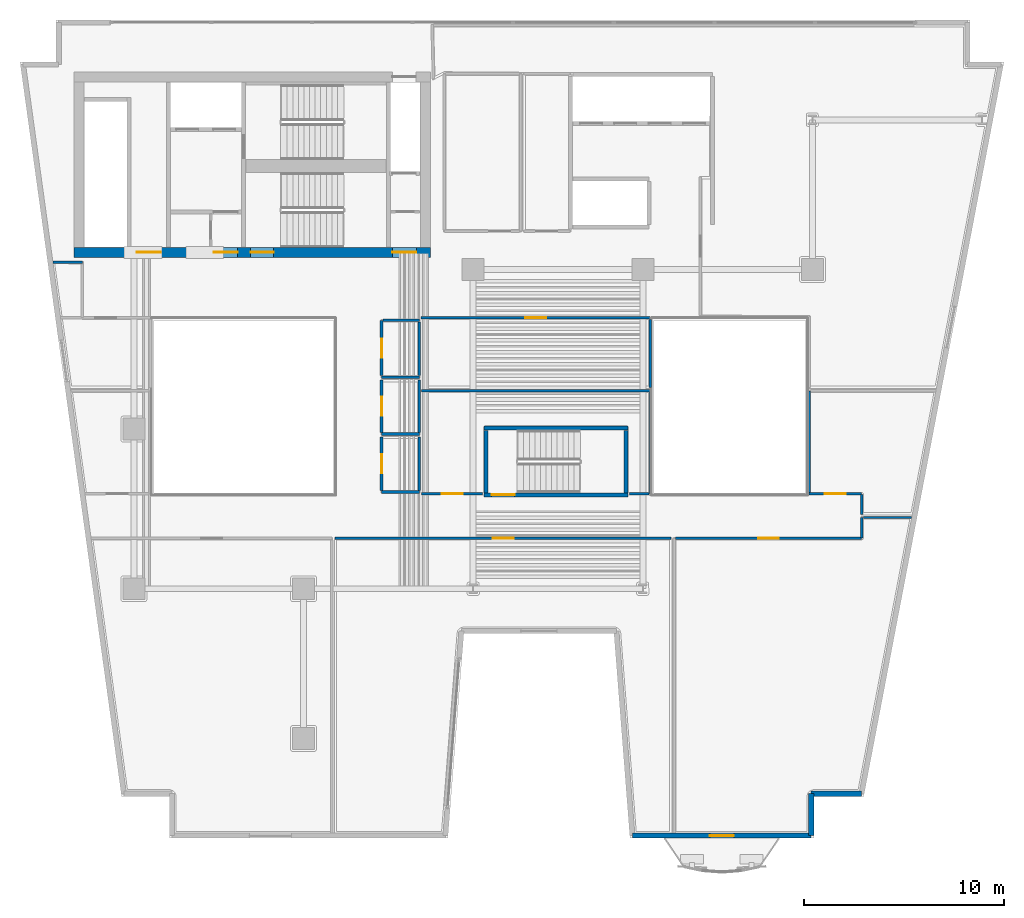
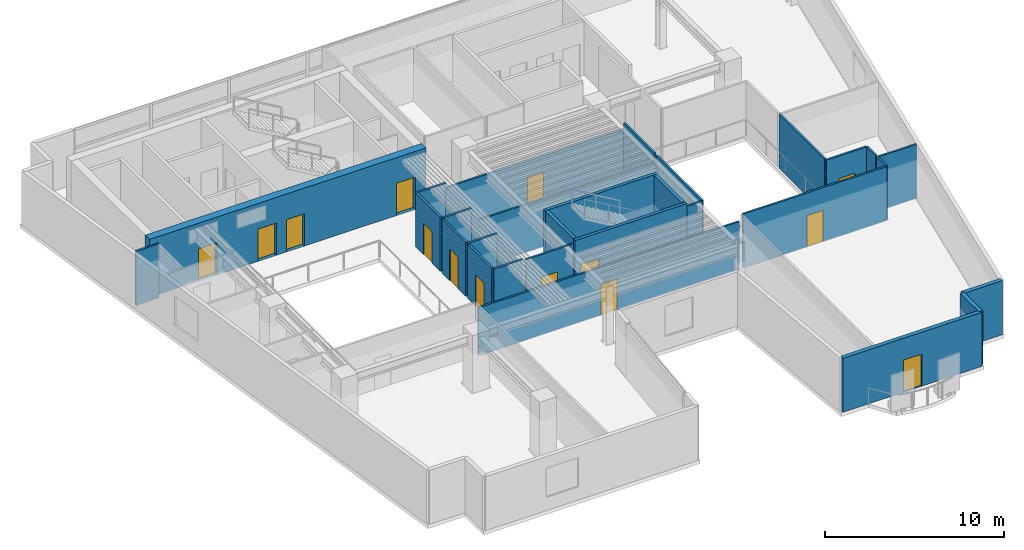
# One storey, part 6 of 13: 32 walls, 14 doors, 14 openings.
"""IFC4 building model written with IfcOpenShell, lengths in metres."""

from ifc_helpers import new_model, si_unit, direction, frame, frame_2d, origin, place, context, subcontext, project, spatial, rectangle, extrude, material, layer, layer_set, type_object, element, fill, save


model = new_model("IFC4")

# Units and contexts
model_context = context("Model", 3, precision=1e-05, world=origin(), true_north=direction((0.0, 1.0)))
body_context = subcontext(model_context, "Body", "Model", "MODEL_VIEW")
ifc_project = project(units=[si_unit("LENGTHUNIT", "METRE"), si_unit("AREAUNIT", "SQUARE_METRE"), si_unit("VOLUMEUNIT", "CUBIC_METRE"), si_unit("PLANEANGLEUNIT", "RADIAN"), si_unit("MASSUNIT", "GRAM", prefix="KILO")], contexts=[model_context])

# Site, building, storey
site_placement = place(None, origin())
site = spatial("IfcSite", under=ifc_project, at=site_placement, CompositionType="ELEMENT")
building_placement = place(site_placement, origin())
building = spatial("IfcBuilding", under=site, at=building_placement, Name="Caeloran Harvest Quay", CompositionType="ELEMENT")
storey_placement = place(building_placement, frame((0.0, 0.0, 135.10009765625)))
storey = spatial("IfcBuildingStorey", under=building, at=storey_placement, Name="L31", CompositionType="ELEMENT", Elevation=135.10009765625)

# Walls
ifc_material_1 = material(Name="Precast concrete C50/60", Category="concrete")
ifc_layer_1 = layer(ifc_material_1, 0.260009765625, Name="Precast concrete C50/60")
ifc_layer_set_1 = layer_set([ifc_layer_1], Name="Precast concrete C50/60")
wall_type_1 = type_object("IfcWallType", Name="ENV-WALL-EW-260", PredefinedType="STANDARD", material=ifc_layer_set_1)
wall_1_placement = place(storey_placement, frame((44.96337890625, 4.72998046875, 0.0), z_axis=(0.0, 0.0, 1.0), x_axis=(-1.0, 0.0, 0.0)))
element("IfcWall", 1, at=wall_1_placement, inside=storey, type_object=wall_type_1, Name="L31 Exterior Precast Concrete Facade Wall 10", PredefinedType="STANDARD", context=body_context, shape_type="SweptSolid", body=[
    extrude(rectangle(XDim=2.5234375, YDim=0.260009765625, at=frame_2d((1.26171875, 0.0))), origin(), (0.0, 0.0, 1.0), 3.68994140625),
])
wall_2_placement = place(storey_placement, frame((42.43994140625, 4.72998046875, 0.0), z_axis=(0.0, 0.0, 1.0), x_axis=(0.0, -1.0, 0.0)))
element("IfcWall", 2, at=wall_2_placement, inside=storey, type_object=wall_type_1, Name="L31 Exterior Precast Concrete Facade Wall 11", PredefinedType="STANDARD", context=body_context, shape_type="SweptSolid", body=[
    extrude(rectangle(XDim=2.10009765625, YDim=0.260009765625, at=frame_2d((1.050048828125, 0.0))), origin(), (0.0, 0.0, 1.0), 3.68994140625),
])

# Wall, opening, door
wall_3_placement = place(storey_placement, frame((42.43994140625, 2.6298828125, 0.0), z_axis=(0.0, 0.0, 1.0), x_axis=(-1.0, 0.0, 0.0)))
wall_3 = element("IfcWall", 3, at=wall_3_placement, inside=storey, type_object=wall_type_1, Name="L31 Exterior Precast Concrete Facade Wall 12", PredefinedType="STANDARD", context=body_context, shape_type="SweptSolid", body=[
    extrude(rectangle(XDim=8.96484375, YDim=0.260009765625, at=frame_2d((4.482421875, 0.0))), origin(), (0.0, 0.0, 1.0), 3.68994140625),
])
opening_1_placement = place(wall_3_placement, frame((3.882080078125, 0.0, 0.0)))
opening_1 = element("IfcOpeningElement", 4, at=opening_1_placement, cuts=wall_3, Name="Opening BD-01", PredefinedType="OPENING", context=body_context, shape_type="SweptSolid", body=[
    extrude(rectangle(XDim=1.199951171875, YDim=2.199951171875, at=frame_2d((0.60009765625, 1.10009765625))), frame((0.0, 0.14013671875, 0.0), z_axis=(0.0, -1.0, 0.0), x_axis=(1.0, 0.0, 0.0)), (0.0, 0.0, 1.0), 0.280029296875),
])
ifc_material_2 = material(Name="Thermally Broken Powder-Coated Aluminium and Safety Glass", Category="aluminium")
door_type_1 = type_object("IfcDoorType", Name="EXTDOOR-BD-01", OperationType="NOTDEFINED", PredefinedType="DOOR", material=ifc_material_2)
door_1_placement = place(opening_1_placement, origin())
door_1 = element("IfcDoor", 5, at=door_1_placement, inside=storey, type_object=door_type_1, Name="L31 Planted Balcony Glazed Access Door", OperationType="SINGLE_SWING_RIGHT", OverallHeight=2.199951171875, OverallWidth=1.199951171875, PredefinedType="DOOR", context=body_context, shape_type="SweptSolid", body=[
    extrude(rectangle(XDim=1.199951171875, YDim=2.199951171875, at=frame_2d((0.60009765625, 1.10009765625))), frame((0.0, 0.02490234375, 0.0), z_axis=(0.0, -1.0, 0.0), x_axis=(1.0, 0.0, 0.0)), (0.0, 0.0, 1.0), 0.050048828125),
])
fill(opening_1, door_1)

# Walls
ifc_material_3 = material(Name="Twin-Stud Mineral-Wool Acoustic Gypsum Partition", Category="gypsum")
ifc_layer_2 = layer(ifc_material_3, 0.125, Name="Twin-Stud Mineral-Wool Acoustic Gypsum Partition")
ifc_layer_set_2 = layer_set([ifc_layer_2], Name="Twin-Stud Mineral-Wool Acoustic Gypsum Partition")
wall_type_2 = type_object("IfcWallType", Name="INT-WALL-PW-125", PredefinedType="PARTITIONING", material=ifc_layer_set_2)
wall_4_placement = place(storey_placement, frame((44.97998046875, 17.550048828125, 0.0), z_axis=(0.0, 0.0, 1.0), x_axis=(0.0, 1.0, 0.0)))
element("IfcWall", 6, at=wall_4_placement, inside=storey, type_object=wall_type_2, Name="Food Texture Sensory Laboratory Partition Wall", PredefinedType="PARTITIONING", context=body_context, shape_type="SweptSolid", body=[
    extrude(rectangle(XDim=1.02001953125, YDim=0.125, at=frame_2d((0.510009765625, 0.0))), origin(), (0.0, 0.0, 1.0), 3.68994140625),
])
wall_5_placement = place(storey_placement, frame((45.047607421875, 18.570068359375, 0.0), z_axis=(0.0, 0.0, 1.0), x_axis=(1.0, 0.0, 0.0)))
element("IfcWall", 7, at=wall_5_placement, inside=storey, type_object=wall_type_2, Name="Food Texture Sensory Laboratory Partition Wall", PredefinedType="PARTITIONING", context=body_context, shape_type="SweptSolid", body=[
    extrude(rectangle(XDim=2.421630859375, YDim=0.125, at=frame_2d((1.2109375, 0.0))), origin(), (0.0, 0.0, 1.0), 3.68994140625),
])

# Wall, opening, door
wall_6_placement = place(storey_placement, frame((35.6474609375, 17.52001953125, 0.0), z_axis=(0.0, 0.0, 1.0), x_axis=(1.0, 0.0, 0.0)))
wall_6 = element("IfcWall", 8, at=wall_6_placement, inside=storey, type_object=wall_type_2, Name="Food Texture Sensory Laboratory Partition Wall", PredefinedType="PARTITIONING", context=body_context, shape_type="SweptSolid", body=[
    extrude(rectangle(XDim=9.302490234375, YDim=0.125, at=frame_2d((4.6513671875, 0.0))), origin(), (0.0, 0.0, 1.0), 3.68994140625),
])
opening_2_placement = place(wall_6_placement, frame((4.126220703125, 0.0, 0.0)))
opening_2 = element("IfcOpeningElement", 9, at=opening_2_placement, cuts=wall_6, Name="Opening ID-03", PredefinedType="OPENING", context=body_context, shape_type="SweptSolid", body=[
    extrude(rectangle(XDim=1.050048828125, YDim=2.14990234375, at=frame_2d((0.52490234375, 1.074951171875))), frame((0.0, 0.072509765625, 0.0), z_axis=(0.0, -1.0, 0.0), x_axis=(1.0, 0.0, 0.0)), (0.0, 0.0, 1.0), 0.14501953125),
])
ifc_material_4 = material(Name="FSC Solid-Core Oak Timber Leaf", Category="wood")
door_type_2 = type_object("IfcDoorType", Name="INTDOOR-ID-03", OperationType="NOTDEFINED", PredefinedType="DOOR", material=ifc_material_4)
door_2_placement = place(opening_2_placement, origin())
door_2 = element("IfcDoor", 10, at=door_2_placement, inside=storey, type_object=door_type_2, Name="Food Texture Sensory Laboratory Access Door", OperationType="SINGLE_SWING_RIGHT", OverallHeight=2.14990234375, OverallWidth=1.050048828125, PredefinedType="DOOR", context=body_context, shape_type="SweptSolid", body=[
    extrude(rectangle(XDim=1.050048828125, YDim=2.14990234375, at=frame_2d((0.52490234375, 1.074951171875))), frame((0.0, 0.02490234375, 0.0), z_axis=(0.0, -1.0, 0.0), x_axis=(1.0, 0.0, 0.0)), (0.0, 0.0, 1.0), 0.050048828125),
])
fill(opening_2, door_2)

wall_7_placement = place(storey_placement, frame((18.580078125, 17.52001953125, 0.0), z_axis=(0.0, 0.0, 1.0), x_axis=(1.0, 0.0, 0.0)))
wall_7 = element("IfcWall", 11, at=wall_7_placement, inside=storey, type_object=wall_type_2, Name="Fermentation Pilot Laboratory Partition Wall", PredefinedType="PARTITIONING", context=body_context, shape_type="SweptSolid", body=[
    extrude(rectangle(XDim=16.83984375, YDim=0.125, at=frame_2d((8.419921875, 0.0))), origin(), (0.0, 0.0, 1.0), 3.27490234375),
])
opening_3_placement = place(wall_7_placement, frame((7.89501953125, 0.0, 0.0)))
opening_3 = element("IfcOpeningElement", 12, at=opening_3_placement, cuts=wall_7, Name="Opening ID-03", PredefinedType="OPENING", context=body_context, shape_type="SweptSolid", body=[
    extrude(rectangle(XDim=1.050048828125, YDim=2.14990234375, at=frame_2d((0.52490234375, 1.074951171875))), frame((0.0, 0.072509765625, 0.0), z_axis=(0.0, -1.0, 0.0), x_axis=(1.0, 0.0, 0.0)), (0.0, 0.0, 1.0), 0.14501953125),
])
door_3_placement = place(opening_3_placement, origin())
door_3 = element("IfcDoor", 13, at=door_3_placement, inside=storey, type_object=door_type_2, Name="Fermentation Pilot Laboratory Access Door", OperationType="SINGLE_SWING_LEFT", OverallHeight=2.14990234375, OverallWidth=1.050048828125, PredefinedType="DOOR", context=body_context, shape_type="SweptSolid", body=[
    extrude(rectangle(XDim=1.050048828125, YDim=2.14990234375, at=frame_2d((0.52490234375, 1.074951171875))), frame((0.0, 0.02490234375, 0.0), z_axis=(0.0, -1.0, 0.0), x_axis=(1.0, 0.0, 0.0)), (0.0, 0.0, 1.0), 0.050048828125),
])
fill(opening_3, door_3)

wall_8_placement = place(storey_placement, frame((44.949951171875, 19.75, 0.0), z_axis=(0.0, 0.0, 1.0), x_axis=(-1.0, 0.0, 0.0)))
wall_8 = element("IfcWall", 14, at=wall_8_placement, inside=storey, type_object=wall_type_2, Name="Bioreactor Pilot Hall Partition Wall", PredefinedType="PARTITIONING", context=body_context, shape_type="SweptSolid", body=[
    extrude(rectangle(XDim=2.619873046875, YDim=0.125, at=frame_2d((1.31005859375, 0.0))), origin(), (0.0, 0.0, 1.0), 3.68994140625),
])
opening_4_placement = place(wall_8_placement, frame((0.784912109375, 0.0, 0.0)))
opening_4 = element("IfcOpeningElement", 15, at=opening_4_placement, cuts=wall_8, Name="Opening ID-03", PredefinedType="OPENING", context=body_context, shape_type="SweptSolid", body=[
    extrude(rectangle(XDim=1.050048828125, YDim=2.14990234375, at=frame_2d((0.52490234375, 1.074951171875))), frame((0.0, 0.072509765625, 0.0), z_axis=(0.0, -1.0, 0.0), x_axis=(1.0, 0.0, 0.0)), (0.0, 0.0, 1.0), 0.14501953125),
])
door_4_placement = place(opening_4_placement, origin())
door_4 = element("IfcDoor", 16, at=door_4_placement, inside=storey, type_object=door_type_2, Name="Bioreactor Pilot Hall Access Door", OperationType="SINGLE_SWING_RIGHT", OverallHeight=2.14990234375, OverallWidth=1.050048828125, PredefinedType="DOOR", context=body_context, shape_type="SweptSolid", body=[
    extrude(rectangle(XDim=1.050048828125, YDim=2.14990234375, at=frame_2d((0.52490234375, 1.074951171875))), frame((0.0, 0.02490234375, 0.0), z_axis=(0.0, -1.0, 0.0), x_axis=(1.0, 0.0, 0.0)), (0.0, 0.0, 1.0), 0.050048828125),
])
fill(opening_4, door_4)

# Walls
wall_9_placement = place(storey_placement, frame((42.330078125, 19.8173828125, 0.0), z_axis=(0.0, 0.0, 1.0), x_axis=(0.0, 1.0, 0.0)))
element("IfcWall", 17, at=wall_9_placement, inside=storey, type_object=wall_type_2, Name="Bioreactor Pilot Hall Partition Wall", PredefinedType="PARTITIONING", context=body_context, shape_type="SweptSolid", body=[
    extrude(rectangle(XDim=5.1025390625, YDim=0.125, at=frame_2d((2.55126953125, 0.0))), origin(), (0.0, 0.0, 1.0), 3.68994140625),
])
wall_10_placement = place(storey_placement, frame((44.97998046875, 18.72998046875, 0.0), z_axis=(0.0, 0.0, 1.0), x_axis=(0.0, 1.0, 0.0)))
element("IfcWall", 18, at=wall_10_placement, inside=storey, type_object=wall_type_2, Name="Bioreactor Pilot Hall Partition Wall", PredefinedType="PARTITIONING", context=body_context, shape_type="SweptSolid", body=[
    extrude(rectangle(XDim=0.989990234375, YDim=0.125, at=frame_2d((0.4951171875, 0.0))), origin(), (0.0, 0.0, 1.0), 3.68994140625),
])

# Wall, opening, door
wall_11_placement = place(storey_placement, frame((25.9755859375, 19.75, 0.0), z_axis=(0.0, 0.0, 1.0), x_axis=(-1.0, 0.0, 0.0)))
wall_11 = element("IfcWall", 19, at=wall_11_placement, inside=storey, type_object=wall_type_2, Name="Sensory Tasting Kitchen Partition Wall", PredefinedType="PARTITIONING", context=body_context, shape_type="SweptSolid", body=[
    extrude(rectangle(XDim=3.065673828125, YDim=0.125, at=frame_2d((1.53271484375, 0.0))), origin(), (0.0, 0.0, 1.0), 3.68994140625),
])
opening_5_placement = place(wall_11_placement, frame((1.0078125, 0.0, 0.0)))
opening_5 = element("IfcOpeningElement", 20, at=opening_5_placement, cuts=wall_11, Name="Opening ID-03", PredefinedType="OPENING", context=body_context, shape_type="SweptSolid", body=[
    extrude(rectangle(XDim=1.050048828125, YDim=2.14990234375, at=frame_2d((0.52490234375, 1.074951171875))), frame((0.0, 0.072509765625, 0.0), z_axis=(0.0, -1.0, 0.0), x_axis=(1.0, 0.0, 0.0)), (0.0, 0.0, 1.0), 0.14501953125),
])
door_5_placement = place(opening_5_placement, origin())
door_5 = element("IfcDoor", 21, at=door_5_placement, inside=storey, type_object=door_type_2, Name="Sensory Tasting Kitchen Access Door", OperationType="SINGLE_SWING_RIGHT", OverallHeight=2.14990234375, OverallWidth=1.050048828125, PredefinedType="DOOR", context=body_context, shape_type="SweptSolid", body=[
    extrude(rectangle(XDim=1.050048828125, YDim=2.14990234375, at=frame_2d((0.52490234375, 1.074951171875))), frame((0.0, 0.02490234375, 0.0), z_axis=(0.0, -1.0, 0.0), x_axis=(1.0, 0.0, 0.0)), (0.0, 0.0, 1.0), 0.050048828125),
])
fill(opening_5, door_5)

# Walls
wall_12_placement = place(storey_placement, frame((22.909912109375, 24.919921875, 0.0), z_axis=(0.0, 0.0, 1.0), x_axis=(1.0, 0.0, 0.0)))
element("IfcWall", 22, at=wall_12_placement, inside=storey, type_object=wall_type_2, Name="Sensory Tasting Kitchen Partition Wall", PredefinedType="PARTITIONING", context=body_context, shape_type="SweptSolid", body=[
    extrude(rectangle(XDim=11.460205078125, YDim=0.125, at=frame_2d((5.72998046875, 0.0))), origin(), (0.0, 0.0, 1.0), 3.27490234375),
])
wall_13_placement = place(storey_placement, frame((34.3701171875, 24.8525390625, 0.0), z_axis=(0.0, 0.0, 1.0), x_axis=(0.0, -1.0, 0.0)))
element("IfcWall", 23, at=wall_13_placement, inside=storey, type_object=wall_type_2, Name="Sensory Tasting Kitchen Partition Wall", PredefinedType="PARTITIONING", context=body_context, shape_type="SweptSolid", body=[
    extrude(rectangle(XDim=5.1025390625, YDim=0.125, at=frame_2d((2.55126953125, 0.0))), origin(), (0.0, 0.0, 1.0), 3.68994140625),
])
wall_14_placement = place(storey_placement, frame((34.302490234375, 19.75, 0.0), z_axis=(0.0, 0.0, 1.0), x_axis=(-1.0, 0.0, 0.0)))
element("IfcWall", 24, at=wall_14_placement, inside=storey, type_object=wall_type_2, Name="Sensory Tasting Kitchen Partition Wall", PredefinedType="PARTITIONING", context=body_context, shape_type="SweptSolid", body=[
    extrude(rectangle(XDim=0.97802734375, YDim=0.125, at=frame_2d((0.489013671875, 0.0))), origin(), (0.0, 0.0, 1.0), 3.68994140625),
])

# Wall, opening, door
wall_15_placement = place(storey_placement, frame((22.889892578125, 28.570068359375, 0.0), z_axis=(0.0, 0.0, 1.0), x_axis=(1.0, 0.0, 0.0)))
wall_15 = element("IfcWall", 25, at=wall_15_placement, inside=storey, type_object=wall_type_2, Name="Staff Wellness Lounge Partition Wall", PredefinedType="PARTITIONING", context=body_context, shape_type="SweptSolid", body=[
    extrude(rectangle(XDim=11.480224609375, YDim=0.125, at=frame_2d((5.740234375, 0.0))), origin(), (0.0, 0.0, 1.0), 3.27490234375),
])
opening_6_placement = place(wall_15_placement, frame((5.215087890625, 0.0, 0.0)))
opening_6 = element("IfcOpeningElement", 26, at=opening_6_placement, cuts=wall_15, Name="Opening ID-03", PredefinedType="OPENING", context=body_context, shape_type="SweptSolid", body=[
    extrude(rectangle(XDim=1.050048828125, YDim=2.14990234375, at=frame_2d((0.52490234375, 1.074951171875))), frame((0.0, 0.072509765625, 0.0), z_axis=(0.0, -1.0, 0.0), x_axis=(1.0, 0.0, 0.0)), (0.0, 0.0, 1.0), 0.14501953125),
])
door_6_placement = place(opening_6_placement, origin())
door_6 = element("IfcDoor", 27, at=door_6_placement, inside=storey, type_object=door_type_2, Name="Staff Wellness Lounge Access Door", OperationType="SINGLE_SWING_LEFT", OverallHeight=2.14990234375, OverallWidth=1.050048828125, PredefinedType="DOOR", context=body_context, shape_type="SweptSolid", body=[
    extrude(rectangle(XDim=1.050048828125, YDim=2.14990234375, at=frame_2d((0.52490234375, 1.074951171875))), frame((0.0, 0.02490234375, 0.0), z_axis=(0.0, -1.0, 0.0), x_axis=(1.0, 0.0, 0.0)), (0.0, 0.0, 1.0), 0.050048828125),
])
fill(opening_6, door_6)

# Walls
wall_16_placement = place(storey_placement, frame((34.3701171875, 28.50244140625, 0.0), z_axis=(0.0, 0.0, 1.0), x_axis=(0.0, -1.0, 0.0)))
element("IfcWall", 28, at=wall_16_placement, inside=storey, type_object=wall_type_2, Name="Staff Wellness Lounge Partition Wall", PredefinedType="PARTITIONING", context=body_context, shape_type="SweptSolid", body=[
    extrude(rectangle(XDim=3.42236328125, YDim=0.125, at=frame_2d((1.711181640625, 0.0))), origin(), (0.0, 0.0, 1.0), 3.68994140625),
])
wall_17_placement = place(storey_placement, frame((4.44775390625, 31.35009765625, 0.0), z_axis=(0.0, 0.0, 1.0), x_axis=(1.0, 0.0, 0.0)))
element("IfcWall", 29, at=wall_17_placement, inside=storey, type_object=wall_type_2, Name="Cellular Agriculture Bioprocess Laboratory 8 Partition Wall", PredefinedType="PARTITIONING", context=body_context, shape_type="SweptSolid", body=[
    extrude(rectangle(XDim=1.47216796875, YDim=0.125, at=frame_2d((0.736083984375, 0.0))), origin(), (0.0, 0.0, 1.0), 3.68994140625),
])
ifc_material_5 = material(Name="Moisture-Resistant Cement-Board Sanitary Partition", Category="gypsum")
ifc_layer_3 = layer(ifc_material_5, 0.139892578125, Name="Moisture-Resistant Cement-Board Sanitary Partition")
ifc_layer_set_3 = layer_set([ifc_layer_3], Name="Moisture-Resistant Cement-Board Sanitary Partition")
wall_type_3 = type_object("IfcWallType", Name="INT-WALL-PW-140", PredefinedType="PARTITIONING", material=ifc_layer_set_3)
wall_18_placement = place(storey_placement, frame((22.800048828125, 25.60009765625, 0.0), z_axis=(0.0, 0.0, 1.0), x_axis=(-1.0, 0.0, 0.0)))
element("IfcWall", 30, at=wall_18_placement, inside=storey, type_object=wall_type_3, Name="L31 Male Washroom WC Partition Wall", PredefinedType="PARTITIONING", context=body_context, shape_type="SweptSolid", body=[
    extrude(rectangle(XDim=1.89013671875, YDim=0.139892578125, at=frame_2d((0.945068359375, 0.0))), origin(), (0.0, 0.0, 1.0), 3.68994140625),
])

# Wall, opening, door
wall_19_placement = place(storey_placement, frame((20.909912109375, 25.675048828125, 0.0), z_axis=(0.0, 0.0, 1.0), x_axis=(0.0, 1.0, 0.0)))
wall_19 = element("IfcWall", 31, at=wall_19_placement, inside=storey, type_object=wall_type_3, Name="L31 Male Washroom WC Partition Wall", PredefinedType="PARTITIONING", context=body_context, shape_type="SweptSolid", body=[
    extrude(rectangle(XDim=2.77490234375, YDim=0.139892578125, at=frame_2d((1.387451171875, 0.0))), origin(), (0.0, 0.0, 1.0), 3.68994140625),
])
opening_7_placement = place(wall_19_placement, frame((0.91259765625, 0.0, 0.0)))
opening_7 = element("IfcOpeningElement", 32, at=opening_7_placement, cuts=wall_19, Name="Opening WC-01", PredefinedType="OPENING", context=body_context, shape_type="SweptSolid", body=[
    extrude(rectangle(XDim=0.949951171875, YDim=2.14990234375, at=frame_2d((0.47509765625, 1.074951171875))), frame((0.0, 0.080078125, 0.0), z_axis=(0.0, -1.0, 0.0), x_axis=(1.0, 0.0, 0.0)), (0.0, 0.0, 1.0), 0.159912109375),
])
ifc_material_6 = material(Name="High-Pressure Laminate Moisture-Resistant Timber", Category="wood")
door_type_3 = type_object("IfcDoorType", Name="INTDOOR-WC-01", OperationType="NOTDEFINED", PredefinedType="DOOR", material=ifc_material_6)
door_7_placement = place(opening_7_placement, origin())
door_7 = element("IfcDoor", 33, at=door_7_placement, inside=storey, type_object=door_type_3, Name="L31 Male Washroom WC Access Door", OperationType="SINGLE_SWING_RIGHT", OverallHeight=2.14990234375, OverallWidth=0.949951171875, PredefinedType="DOOR", context=body_context, shape_type="SweptSolid", body=[
    extrude(rectangle(XDim=0.949951171875, YDim=2.14990234375, at=frame_2d((0.47509765625, 1.074951171875))), frame((0.0, 0.02490234375, 0.0), z_axis=(0.0, -1.0, 0.0), x_axis=(1.0, 0.0, 0.0)), (0.0, 0.0, 1.0), 0.050048828125),
])
fill(opening_7, door_7)

# Walls
wall_20_placement = place(storey_placement, frame((20.985107421875, 28.449951171875, 0.0), z_axis=(0.0, 0.0, 1.0), x_axis=(1.0, 0.0, 0.0)))
element("IfcWall", 34, at=wall_20_placement, inside=storey, type_object=wall_type_3, Name="L31 Male Washroom WC Partition Wall", PredefinedType="PARTITIONING", context=body_context, shape_type="SweptSolid", body=[
    extrude(rectangle(XDim=1.81494140625, YDim=0.139892578125, at=frame_2d((0.907470703125, 0.0))), origin(), (0.0, 0.0, 1.0), 3.68994140625),
])
wall_21_placement = place(storey_placement, frame((22.800048828125, 28.375, 0.0), z_axis=(0.0, 0.0, 1.0), x_axis=(0.0, -1.0, 0.0)))
element("IfcWall", 35, at=wall_21_placement, inside=storey, type_object=wall_type_3, Name="L31 Male Washroom WC Partition Wall", PredefinedType="PARTITIONING", context=body_context, shape_type="SweptSolid", body=[
    extrude(rectangle(XDim=2.699951171875, YDim=0.139892578125, at=frame_2d((1.35009765625, 0.0))), origin(), (0.0, 0.0, 1.0), 3.27490234375),
])
wall_22_placement = place(storey_placement, frame((22.800048828125, 22.75, 0.0), z_axis=(0.0, 0.0, 1.0), x_axis=(-1.0, 0.0, 0.0)))
element("IfcWall", 36, at=wall_22_placement, inside=storey, type_object=wall_type_3, Name="L31 Female Washroom WC Partition Wall", PredefinedType="PARTITIONING", context=body_context, shape_type="SweptSolid", body=[
    extrude(rectangle(XDim=1.89013671875, YDim=0.139892578125, at=frame_2d((0.945068359375, 0.0))), origin(), (0.0, 0.0, 1.0), 3.68994140625),
])

# Wall, opening, door
wall_23_placement = place(storey_placement, frame((20.909912109375, 22.824951171875, 0.0), z_axis=(0.0, 0.0, 1.0), x_axis=(0.0, 1.0, 0.0)))
wall_23 = element("IfcWall", 37, at=wall_23_placement, inside=storey, type_object=wall_type_3, Name="L31 Female Washroom WC Partition Wall", PredefinedType="PARTITIONING", context=body_context, shape_type="SweptSolid", body=[
    extrude(rectangle(XDim=2.625, YDim=0.139892578125, at=frame_2d((1.3125, 0.0))), origin(), (0.0, 0.0, 1.0), 3.68994140625),
])
opening_8_placement = place(wall_23_placement, frame((0.83740234375, 0.0, 0.0)))
opening_8 = element("IfcOpeningElement", 38, at=opening_8_placement, cuts=wall_23, Name="Opening WC-01", PredefinedType="OPENING", context=body_context, shape_type="SweptSolid", body=[
    extrude(rectangle(XDim=0.949951171875, YDim=2.14990234375, at=frame_2d((0.47509765625, 1.074951171875))), frame((0.0, 0.080078125, 0.0), z_axis=(0.0, -1.0, 0.0), x_axis=(1.0, 0.0, 0.0)), (0.0, 0.0, 1.0), 0.159912109375),
])
door_8_placement = place(opening_8_placement, origin())
door_8 = element("IfcDoor", 39, at=door_8_placement, inside=storey, type_object=door_type_3, Name="L31 Female Washroom WC Access Door", OperationType="SINGLE_SWING_LEFT", OverallHeight=2.14990234375, OverallWidth=0.949951171875, PredefinedType="DOOR", context=body_context, shape_type="SweptSolid", body=[
    extrude(rectangle(XDim=0.949951171875, YDim=2.14990234375, at=frame_2d((0.47509765625, 1.074951171875))), frame((0.0, 0.02490234375, 0.0), z_axis=(0.0, -1.0, 0.0), x_axis=(1.0, 0.0, 0.0)), (0.0, 0.0, 1.0), 0.050048828125),
])
fill(opening_8, door_8)

# Walls
wall_24_placement = place(storey_placement, frame((22.800048828125, 25.449951171875, 0.0), z_axis=(0.0, 0.0, 1.0), x_axis=(0.0, -1.0, 0.0)))
element("IfcWall", 40, at=wall_24_placement, inside=storey, type_object=wall_type_3, Name="L31 Female Washroom WC Partition Wall", PredefinedType="PARTITIONING", context=body_context, shape_type="SweptSolid", body=[
    extrude(rectangle(XDim=2.625, YDim=0.139892578125, at=frame_2d((1.3125, 0.0))), origin(), (0.0, 0.0, 1.0), 3.27490234375),
])
wall_25_placement = place(storey_placement, frame((22.800048828125, 19.85009765625, 0.0), z_axis=(0.0, 0.0, 1.0), x_axis=(-1.0, 0.0, 0.0)))
element("IfcWall", 41, at=wall_25_placement, inside=storey, type_object=wall_type_3, Name="L31 Accessible Unisex Washroom WC Partition Wall", PredefinedType="PARTITIONING", context=body_context, shape_type="SweptSolid", body=[
    extrude(rectangle(XDim=1.89013671875, YDim=0.139892578125, at=frame_2d((0.945068359375, 0.0))), origin(), (0.0, 0.0, 1.0), 3.68994140625),
])

# Wall, opening, door
wall_26_placement = place(storey_placement, frame((20.909912109375, 19.925048828125, 0.0), z_axis=(0.0, 0.0, 1.0), x_axis=(0.0, 1.0, 0.0)))
wall_26 = element("IfcWall", 42, at=wall_26_placement, inside=storey, type_object=wall_type_3, Name="L31 Accessible Unisex Washroom WC Partition Wall", PredefinedType="PARTITIONING", context=body_context, shape_type="SweptSolid", body=[
    extrude(rectangle(XDim=2.675048828125, YDim=0.139892578125, at=frame_2d((1.33740234375, 0.0))), origin(), (0.0, 0.0, 1.0), 3.68994140625),
])
opening_9_placement = place(wall_26_placement, frame((0.862548828125, 0.0, 0.0)))
opening_9 = element("IfcOpeningElement", 43, at=opening_9_placement, cuts=wall_26, Name="Opening WC-01", PredefinedType="OPENING", context=body_context, shape_type="SweptSolid", body=[
    extrude(rectangle(XDim=0.949951171875, YDim=2.14990234375, at=frame_2d((0.47509765625, 1.074951171875))), frame((0.0, 0.080078125, 0.0), z_axis=(0.0, -1.0, 0.0), x_axis=(1.0, 0.0, 0.0)), (0.0, 0.0, 1.0), 0.159912109375),
])
door_9_placement = place(opening_9_placement, origin())
door_9 = element("IfcDoor", 44, at=door_9_placement, inside=storey, type_object=door_type_3, Name="L31 Accessible Unisex Washroom WC Access Door", OperationType="SINGLE_SWING_RIGHT", OverallHeight=2.14990234375, OverallWidth=0.949951171875, PredefinedType="DOOR", context=body_context, shape_type="SweptSolid", body=[
    extrude(rectangle(XDim=0.949951171875, YDim=2.14990234375, at=frame_2d((0.47509765625, 1.074951171875))), frame((0.0, 0.02490234375, 0.0), z_axis=(0.0, -1.0, 0.0), x_axis=(1.0, 0.0, 0.0)), (0.0, 0.0, 1.0), 0.050048828125),
])
fill(opening_9, door_9)

# Wall
wall_27_placement = place(storey_placement, frame((22.800048828125, 22.60009765625, 0.0), z_axis=(0.0, 0.0, 1.0), x_axis=(0.0, -1.0, 0.0)))
element("IfcWall", 45, at=wall_27_placement, inside=storey, type_object=wall_type_3, Name="L31 Accessible Unisex Washroom WC Partition Wall", PredefinedType="PARTITIONING", context=body_context, shape_type="SweptSolid", body=[
    extrude(rectangle(XDim=2.675048828125, YDim=0.139892578125, at=frame_2d((1.33740234375, 0.0))), origin(), (0.0, 0.0, 1.0), 3.27490234375),
])

# Wall, openings, doors
ifc_material_7 = material(Name="Concrete C70/85", Category="concrete")
ifc_layer_4 = layer(ifc_material_7, 0.5, Name="Concrete C70/85")
ifc_layer_set_4 = layer_set([ifc_layer_4], Name="Concrete C70/85")
wall_type_4 = type_object("IfcWallType", Name="STR-WALL-CW-500", PredefinedType="SHEAR", material=ifc_layer_set_4)
wall_28_placement = place(storey_placement, frame((5.5, 31.85009765625, 0.0), z_axis=(0.0, 0.0, 1.0), x_axis=(1.0, 0.0, 0.0)))
wall_28 = element("IfcWall", 46, at=wall_28_placement, inside=storey, type_object=wall_type_4, Name="L31 Rear Core Shear Wall S", PredefinedType="SHEAR", context=body_context, shape_type="SweptSolid", body=[
    extrude(rectangle(XDim=17.85009765625, YDim=0.5, at=frame_2d((8.925048828125, 0.0))), origin(), (0.0, 0.0, 1.0), 3.949951171875),
])
opening_10_placement = place(wall_28_placement, frame((3.14990234375, 0.0, 0.0)))
opening_10 = element("IfcOpeningElement", 47, at=opening_10_placement, cuts=wall_28, Name="Opening FD-01", PredefinedType="OPENING", context=body_context, shape_type="SweptSolid", body=[
    extrude(rectangle(XDim=1.199951171875, YDim=2.199951171875, at=frame_2d((0.60009765625, 1.10009765625))), frame((0.0, 0.260009765625, 0.0), z_axis=(0.0, -1.0, 0.0), x_axis=(1.0, 0.0, 0.0)), (0.0, 0.0, 1.0), 0.52001953125),
])
opening_11_placement = place(wall_28_placement, frame((7.0, 0.0, 0.0)))
opening_11 = element("IfcOpeningElement", 48, at=opening_11_placement, cuts=wall_28, Name="Opening FD-01", PredefinedType="OPENING", context=body_context, shape_type="SweptSolid", body=[
    extrude(rectangle(XDim=1.199951171875, YDim=2.199951171875, at=frame_2d((0.60009765625, 1.10009765625))), frame((0.0, 0.260009765625, 0.0), z_axis=(0.0, -1.0, 0.0), x_axis=(1.0, 0.0, 0.0)), (0.0, 0.0, 1.0), 0.52001953125),
])
opening_12_placement = place(wall_28_placement, frame((8.85009765625, 0.0, 0.0)))
opening_12 = element("IfcOpeningElement", 49, at=opening_12_placement, cuts=wall_28, Name="Opening SD-01", PredefinedType="OPENING", context=body_context, shape_type="SweptSolid", body=[
    extrude(rectangle(XDim=1.14990234375, YDim=2.199951171875, at=frame_2d((0.574951171875, 1.10009765625))), frame((0.0, 0.260009765625, 0.0), z_axis=(0.0, -1.0, 0.0), x_axis=(1.0, 0.0, 0.0)), (0.0, 0.0, 1.0), 0.52001953125),
])
opening_13_placement = place(wall_28_placement, frame((15.949951171875, 0.0, 0.0)))
opening_13 = element("IfcOpeningElement", 50, at=opening_13_placement, cuts=wall_28, Name="Opening FD-01", PredefinedType="OPENING", context=body_context, shape_type="SweptSolid", body=[
    extrude(rectangle(XDim=1.199951171875, YDim=2.199951171875, at=frame_2d((0.60009765625, 1.10009765625))), frame((0.0, 0.260009765625, 0.0), z_axis=(0.0, -1.0, 0.0), x_axis=(1.0, 0.0, 0.0)), (0.0, 0.0, 1.0), 0.52001953125),
])
ifc_material_8 = material(Name="Steel", Category="steel")
door_type_4 = type_object("IfcDoorType", Name="INTDOOR-FD-01", OperationType="NOTDEFINED", PredefinedType="DOOR", material=ifc_material_8)
door_10_placement = place(opening_10_placement, origin())
door_10 = element("IfcDoor", 51, at=door_10_placement, inside=storey, type_object=door_type_4, Name="L31 High-Rise Lift Lobby Fire Door", OperationType="SINGLE_SWING_LEFT", OverallHeight=2.199951171875, OverallWidth=1.199951171875, PredefinedType="DOOR", context=body_context, shape_type="SweptSolid", body=[
    extrude(rectangle(XDim=1.199951171875, YDim=2.199951171875, at=frame_2d((0.60009765625, 1.10009765625))), frame((0.0, 0.02490234375, 0.0), z_axis=(0.0, -1.0, 0.0), x_axis=(1.0, 0.0, 0.0)), (0.0, 0.0, 1.0), 0.050048828125),
])
fill(opening_10, door_10)
door_11_placement = place(opening_11_placement, origin())
door_11 = element("IfcDoor", 52, at=door_11_placement, inside=storey, type_object=door_type_4, Name="L31 Firefighting Lobby Vestibule Fire Door", OperationType="SINGLE_SWING_RIGHT", OverallHeight=2.199951171875, OverallWidth=1.199951171875, PredefinedType="DOOR", context=body_context, shape_type="SweptSolid", body=[
    extrude(rectangle(XDim=1.199951171875, YDim=2.199951171875, at=frame_2d((0.60009765625, 1.10009765625))), frame((0.0, 0.02490234375, 0.0), z_axis=(0.0, -1.0, 0.0), x_axis=(1.0, 0.0, 0.0)), (0.0, 0.0, 1.0), 0.050048828125),
])
fill(opening_11, door_11)
door_12_placement = place(opening_13_placement, origin())
door_12 = element("IfcDoor", 53, at=door_12_placement, inside=storey, type_object=door_type_4, Name="L31 Service Lift Lobby Fire Door", OperationType="SINGLE_SWING_RIGHT", OverallHeight=2.199951171875, OverallWidth=1.199951171875, PredefinedType="DOOR", context=body_context, shape_type="SweptSolid", body=[
    extrude(rectangle(XDim=1.199951171875, YDim=2.199951171875, at=frame_2d((0.60009765625, 1.10009765625))), frame((0.0, 0.02490234375, 0.0), z_axis=(0.0, -1.0, 0.0), x_axis=(1.0, 0.0, 0.0)), (0.0, 0.0, 1.0), 0.050048828125),
])
fill(opening_13, door_12)
door_type_5 = type_object("IfcDoorType", Name="INTDOOR-SD-01", OperationType="NOTDEFINED", PredefinedType="DOOR", material=ifc_material_8)
door_13_placement = place(opening_12_placement, origin())
door_13 = element("IfcDoor", 54, at=door_13_placement, inside=storey, type_object=door_type_5, Name="L31 Protected Stair ST-C2 Exit Door", OperationType="SINGLE_SWING_LEFT", OverallHeight=2.199951171875, OverallWidth=1.14990234375, PredefinedType="DOOR", context=body_context, shape_type="SweptSolid", body=[
    extrude(rectangle(XDim=1.14990234375, YDim=2.199951171875, at=frame_2d((0.574951171875, 1.10009765625))), frame((0.0, 0.02490234375, 0.0), z_axis=(0.0, -1.0, 0.0), x_axis=(1.0, 0.0, 0.0)), (0.0, 0.0, 1.0), 0.050048828125),
])
fill(opening_12, door_13)

# Wall, opening, door
ifc_material_9 = material(Name="Concrete C60/75", Category="concrete")
ifc_layer_5 = layer(ifc_material_9, 0.199951171875, Name="Concrete C60/75")
ifc_layer_set_5 = layer_set([ifc_layer_5], Name="Concrete C60/75")
wall_type_5 = type_object("IfcWallType", Name="STR-WALL-SW-200", PredefinedType="SHEAR", material=ifc_layer_set_5)
wall_29_placement = place(storey_placement, frame((26.050048828125, 19.699951171875, 0.0), z_axis=(0.0, 0.0, 1.0), x_axis=(1.0, 0.0, 0.0)))
wall_29 = element("IfcWall", 55, at=wall_29_placement, inside=storey, type_object=wall_type_5, Name="L31 Stair ST-W1 S RC Shaft Shear Wall", PredefinedType="SHEAR", context=body_context, shape_type="SweptSolid", body=[
    extrude(rectangle(XDim=7.199951171875, YDim=0.199951171875, at=frame_2d((3.60009765625, 0.0))), origin(), (0.0, 0.0, 1.0), 3.949951171875),
])
opening_14_placement = place(wall_29_placement, frame((0.3798828125, 0.0, 0.0)))
opening_14 = element("IfcOpeningElement", 56, at=opening_14_placement, cuts=wall_29, Name="Opening SD-01", PredefinedType="OPENING", context=body_context, shape_type="SweptSolid", body=[
    extrude(rectangle(XDim=1.14990234375, YDim=2.199951171875, at=frame_2d((0.574951171875, 1.10009765625))), frame((0.0, 0.10986328125, 0.0), z_axis=(0.0, -1.0, 0.0), x_axis=(1.0, 0.0, 0.0)), (0.0, 0.0, 1.0), 0.219970703125),
])
door_14_placement = place(opening_14_placement, origin())
door_14 = element("IfcDoor", 57, at=door_14_placement, inside=storey, type_object=door_type_5, Name="L31 Protected Exit Stair ST-W1 Fire Door", OperationType="SINGLE_SWING_RIGHT", OverallHeight=2.199951171875, OverallWidth=1.14990234375, PredefinedType="DOOR", context=body_context, shape_type="SweptSolid", body=[
    extrude(rectangle(XDim=1.14990234375, YDim=2.199951171875, at=frame_2d((0.574951171875, 1.10009765625))), frame((0.0, 0.02490234375, 0.0), z_axis=(0.0, -1.0, 0.0), x_axis=(1.0, 0.0, 0.0)), (0.0, 0.0, 1.0), 0.050048828125),
])
fill(opening_14, door_14)

# Walls
wall_30_placement = place(storey_placement, frame((26.050048828125, 23.050048828125, 0.0), z_axis=(0.0, 0.0, 1.0), x_axis=(1.0, 0.0, 0.0)))
element("IfcWall", 58, at=wall_30_placement, inside=storey, type_object=wall_type_5, Name="L31 Stair ST-W1 N RC Shaft Shear Wall", PredefinedType="SHEAR", context=body_context, shape_type="SweptSolid", body=[
    extrude(rectangle(XDim=7.199951171875, YDim=0.199951171875, at=frame_2d((3.60009765625, 0.0))), origin(), (0.0, 0.0, 1.0), 3.949951171875),
])
for number, where, z_axis, x_axis, name in (
    (59, (26.14990234375, 19.81005859375, 0.0), (0.0, 0.0, 1.0), (0.0, 1.0, 0.0), "L31 Stair ST-W1 W RC Shaft Shear Wall"),
    (60, (33.14990234375, 19.81005859375, 0.0), (0.0, 0.0, 1.0), (0.0, 1.0, 0.0), "L31 Stair ST-W1 E RC Shaft Shear Wall"),
):
    element("IfcWall", number, at=place(storey_placement, frame(where, z_axis=z_axis, x_axis=x_axis)), inside=storey, type_object=wall_type_5, Name=name, PredefinedType="SHEAR", context=body_context, shape_type="SweptSolid", body=[
        extrude(rectangle(XDim=3.1298828125, YDim=0.199951171875, at=frame_2d((1.56494140625, 0.0))), origin(), (0.0, 0.0, 1.0), 3.949951171875),
    ])

save(model, "model.ifc")
